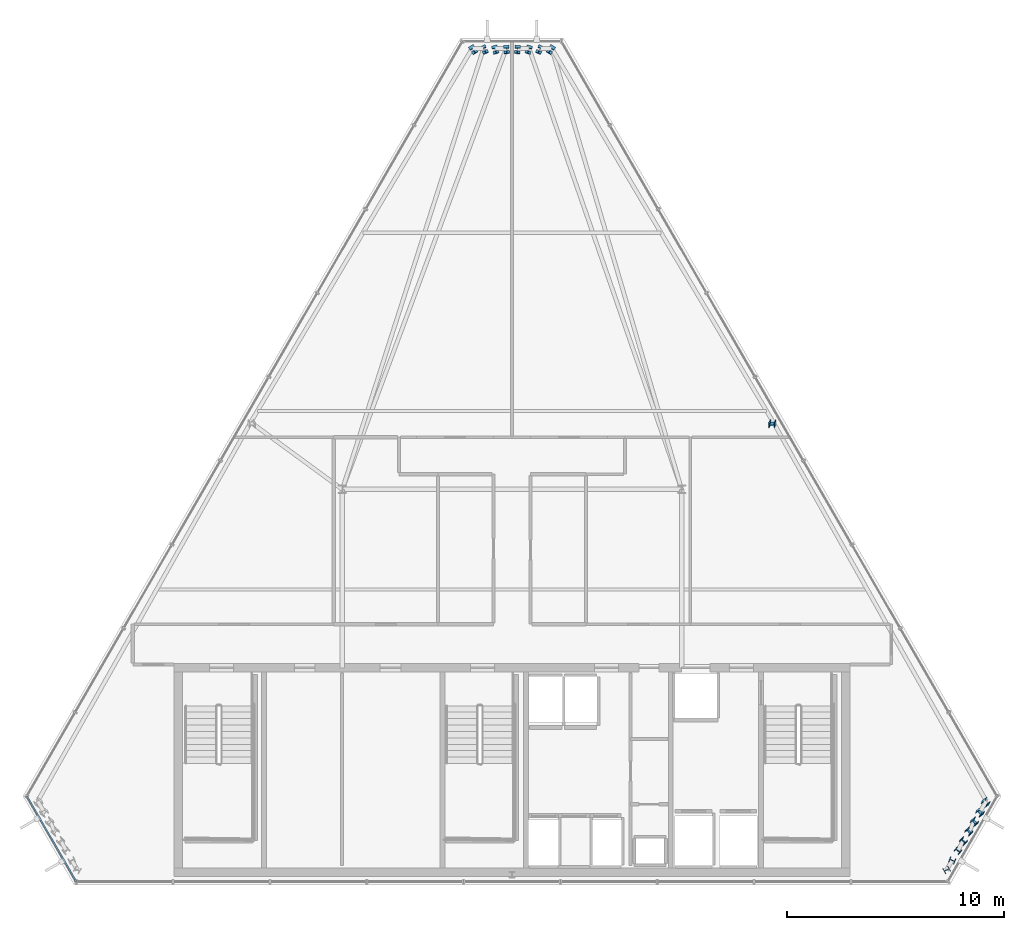
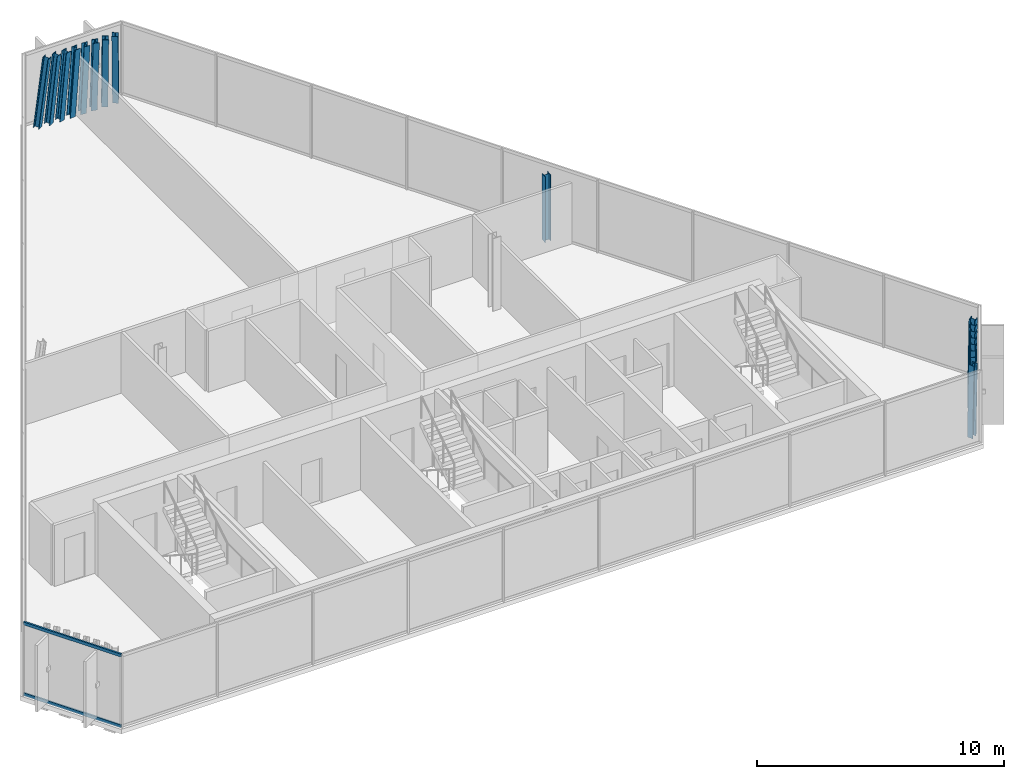
# One storey, part 2 of 32: 17 columns, 2 members, 1 element without a shape of its own.
"""IFC4 building model written with IfcOpenShell, lengths in metres."""

from ifc_helpers import new_model, si_unit, direction, frame, origin, origin_2d, place, context, subcontext, project, spatial, hollow_rectangle, i_section, extrude, material, layer, layer_set, material_profile, profile_set, type_object, element, aggregate, save


model = new_model("IFC4")

# Units and contexts
model_context = context("Model", 3, precision=1e-05, world=origin(), true_north=direction((0.0, 1.0)))
body_context = subcontext(model_context, "Body", "Model", "MODEL_VIEW")
ifc_project = project(units=[si_unit("LENGTHUNIT", "METRE"), si_unit("AREAUNIT", "SQUARE_METRE"), si_unit("VOLUMEUNIT", "CUBIC_METRE"), si_unit("PLANEANGLEUNIT", "RADIAN"), si_unit("MASSUNIT", "GRAM", prefix="KILO")], contexts=[model_context])

# Site, building, storey
site_placement = place(None, origin())
site = spatial("IfcSite", under=ifc_project, at=site_placement, CompositionType="ELEMENT")
building_placement = place(site_placement, origin())
building = spatial("IfcBuilding", under=site, at=building_placement, Name="Ndaravel Arena Tower", CompositionType="ELEMENT")
storey_placement = place(building_placement, frame((0.0, 0.0, 290.89990234375)))
storey = spatial("IfcBuildingStorey", under=building, at=storey_placement, Name="L71", CompositionType="ELEMENT", Elevation=290.89990234375)

# Columns
ifc_material_1 = material(Name="Steel S355", Category="steel")
ifc_material_profile_1 = material_profile(ifc_material_1, i_section(OverallWidth=0.2587890625, OverallDepth=0.2666015625, WebThickness=0.0126953125, FlangeThickness=0.0205078125, FilletRadius=0.0126953125, at=origin_2d()), Name="UC 254x254x107")
ifc_profile_set_1 = profile_set([ifc_material_profile_1], Name="Steel S355")
column_type = type_object("IfcColumnType", Name="COL-CRN-UC107", PredefinedType="COLUMN", material=ifc_profile_set_1)
column_1_placement = place(storey_placement, frame((61.98095703125, 5.7060546875, 0.0), z_axis=(0.012750869074, -0.008046002945, 0.999886332127), x_axis=(-0.46549137214, 0.884956095151, 0.013057263081)))
element("IfcColumn", 1, at=column_1_placement, inside=storey, type_object=column_type, Name="L71 Framed Tube Column TC-02", PredefinedType="COLUMN", context=body_context, shape_type="SweptSolid", body=[
    extrude(i_section(OverallWidth=0.2587890625, OverallDepth=0.2666015625, WebThickness=0.0126953125, FlangeThickness=0.0205078125, FilletRadius=0.0126953125, at=origin_2d()), origin(), (0.0, 0.0, 1.0), 3.58056640625),
])
column_2_placement = place(storey_placement, frame((62.24169921875, 6.157958984375, 0.0), z_axis=(0.003476876794, -0.024065441336, 0.999704339223), x_axis=(0.371064507273, 0.928368302905, 0.021057673285)))
element("IfcColumn", 2, at=column_2_placement, inside=storey, type_object=column_type, Name="L71 Framed Tube Column TC-03", PredefinedType="COLUMN", context=body_context, shape_type="SweptSolid", body=[
    extrude(i_section(OverallWidth=0.2587890625, OverallDepth=0.2666015625, WebThickness=0.0126953125, FlangeThickness=0.0205078125, FilletRadius=0.0126953125, at=origin_2d()), origin(), (0.0, 0.0, 1.0), 3.5810546875),
])
column_3_placement = place(storey_placement, frame((62.502685546875, 6.610107421875, 0.0), z_axis=(-0.005791741097, -0.040133358895, 0.999177546404), x_axis=(0.618468463563, 0.785024577009, 0.035116564052)))
element("IfcColumn", 3, at=column_3_placement, inside=storey, type_object=column_type, Name="L71 Framed Tube Column TC-04", PredefinedType="COLUMN", context=body_context, shape_type="SweptSolid", body=[
    extrude(i_section(OverallWidth=0.2587890625, OverallDepth=0.2666015625, WebThickness=0.0126953125, FlangeThickness=0.0205078125, FilletRadius=0.0126953125, at=origin_2d()), origin(), (0.0, 0.0, 1.0), 3.5830078125),
])
column_4_placement = place(storey_placement, frame((62.763671875, 7.06201171875, 0.0), z_axis=(-0.01504542395, -0.056165044156, 0.998308130305), x_axis=(0.706681200924, 0.705737927659, 0.050355314766)))
element("IfcColumn", 4, at=column_4_placement, inside=storey, type_object=column_type, Name="L71 Framed Tube Column TC-05", PredefinedType="COLUMN", context=body_context, shape_type="SweptSolid", body=[
    extrude(i_section(OverallWidth=0.2587890625, OverallDepth=0.2666015625, WebThickness=0.0126953125, FlangeThickness=0.0205078125, FilletRadius=0.0126953125, at=origin_2d()), origin(), (0.0, 0.0, 1.0), 3.586181640625),
])
column_5_placement = place(storey_placement, frame((63.024658203125, 7.513916015625, 0.0), z_axis=(-0.024274823165, -0.072076505755, 0.997103660749), x_axis=(0.749462086186, 0.658762752498, 0.065865144737)))
element("IfcColumn", 5, at=column_5_placement, inside=storey, type_object=column_type, Name="L71 Framed Tube Column TC-06", PredefinedType="COLUMN", context=body_context, shape_type="SweptSolid", body=[
    extrude(i_section(OverallWidth=0.2587890625, OverallDepth=0.2666015625, WebThickness=0.0126953125, FlangeThickness=0.0205078125, FilletRadius=0.0126953125, at=origin_2d()), origin(), (0.0, 0.0, 1.0), 3.590576171875),
])
column_6_placement = place(storey_placement, frame((63.28564453125, 7.9658203125, 0.0), z_axis=(-0.033470647913, -0.087919856081, 0.995565073029), x_axis=(0.774036446069, 0.627877329686, 0.081471706891)))
element("IfcColumn", 6, at=column_6_placement, inside=storey, type_object=column_type, Name="L71 Framed Tube Column TC-07", PredefinedType="COLUMN", context=body_context, shape_type="SweptSolid", body=[
    extrude(i_section(OverallWidth=0.2587890625, OverallDepth=0.2666015625, WebThickness=0.0126953125, FlangeThickness=0.0205078125, FilletRadius=0.0126953125, at=origin_2d()), origin(), (0.0, 0.0, 1.0), 3.595947265625),
])
column_7_placement = place(storey_placement, frame((63.54638671875, 8.41796875, 0.0), z_axis=(-0.042555860906, -0.103746851986, 0.993692904979), x_axis=(0.789181806641, 0.606433234677, 0.097112347031)))
element("IfcColumn", 7, at=column_7_placement, inside=storey, type_object=column_type, Name="L71 Framed Tube Column TC-08", PredefinedType="COLUMN", context=body_context, shape_type="SweptSolid", body=[
    extrude(i_section(OverallWidth=0.2587890625, OverallDepth=0.2666015625, WebThickness=0.0126953125, FlangeThickness=0.0205078125, FilletRadius=0.0126953125, at=origin_2d()), origin(), (0.0, 0.0, 1.0), 3.602783203125),
])
column_8_placement = place(storey_placement, frame((63.807373046875, 8.869873046875, 0.0), z_axis=(-0.051724991926, -0.119406974825, 0.991497100134), x_axis=(0.80011318397, 0.589167860222, 0.112694832712)))
element("IfcColumn", 8, at=column_8_placement, inside=storey, type_object=column_type, Name="L71 Framed Tube Column TC-09", PredefinedType="COLUMN", context=body_context, shape_type="SweptSolid", body=[
    extrude(i_section(OverallWidth=0.2587890625, OverallDepth=0.2666015625, WebThickness=0.0126953125, FlangeThickness=0.0205078125, FilletRadius=0.0126953125, at=origin_2d()), origin(), (0.0, 0.0, 1.0), 3.61083984375),
])
column_9_placement = place(storey_placement, frame((54.0126953125, 26.286865234375, 0.0), z_axis=(-0.064911794707, -0.112513777493, 0.991527664154), x_axis=(-0.003987046067, 0.993644521472, 0.112492970506)))
element("IfcColumn", 9, at=column_9_placement, inside=storey, type_object=column_type, Name="L71 Framed Tube Column TC-10", PredefinedType="COLUMN", context=body_context, shape_type="SweptSolid", body=[
    extrude(i_section(OverallWidth=0.2587890625, OverallDepth=0.2666015625, WebThickness=0.0126953125, FlangeThickness=0.0205078125, FilletRadius=0.0126953125, at=origin_2d()), origin(), (0.0, 0.0, 1.0), 3.610595703125),
])
column_10_placement = place(storey_placement, frame((43.82666015625, 43.477783203125, 0.0), z_axis=(-0.064474404195, -0.09772748451, 0.993122545296), x_axis=(0.834710448865, -0.550689083381, 0.0)))
element("IfcColumn", 10, at=column_10_placement, inside=storey, type_object=column_type, Name="L71 Framed Tube Column TC-11", PredefinedType="COLUMN", context=body_context, shape_type="SweptSolid", body=[
    extrude(i_section(OverallWidth=0.2587890625, OverallDepth=0.2666015625, WebThickness=0.0126953125, FlangeThickness=0.0205078125, FilletRadius=0.0126953125, at=origin_2d()), origin(), (0.0, 0.0, 1.0), 3.60498046875),
])
column_11_placement = place(storey_placement, frame((43.3046875, 43.477783203125, 0.0), z_axis=(-0.046032450468, -0.097827431554, 0.994138223357), x_axis=(0.904832912458, -0.425766838225, 0.0)))
element("IfcColumn", 11, at=column_11_placement, inside=storey, type_object=column_type, Name="L71 Framed Tube Column TC-12", PredefinedType="COLUMN", context=body_context, shape_type="SweptSolid", body=[
    extrude(i_section(OverallWidth=0.2587890625, OverallDepth=0.2666015625, WebThickness=0.0126953125, FlangeThickness=0.0205078125, FilletRadius=0.0126953125, at=origin_2d()), origin(), (0.0, 0.0, 1.0), 3.60107421875),
])
column_12_placement = place(storey_placement, frame((42.782958984375, 43.477783203125, 0.0), z_axis=(-0.027678890577, -0.097893723291, 0.994811890739), x_axis=(0.962275250088, -0.272077825389, 0.0)))
element("IfcColumn", 12, at=column_12_placement, inside=storey, type_object=column_type, Name="L71 Framed Tube Column TC-13", PredefinedType="COLUMN", context=body_context, shape_type="SweptSolid", body=[
    extrude(i_section(OverallWidth=0.2587890625, OverallDepth=0.2666015625, WebThickness=0.0126953125, FlangeThickness=0.0205078125, FilletRadius=0.0126953125, at=origin_2d()), origin(), (0.0, 0.0, 1.0), 3.5986328125),
])
for number, where, z_axis, x_axis, name in (
    (13, (42.260986328125, 43.477783203125, 0.0), (-0.009229440002, -0.097927072963, 0.995150795517), (0.99558801944, -0.093832273488, 0.0), "L71 Framed Tube Column TC-14"),
    (14, (41.739013671875, 43.477783203125, 0.0), (0.009229440002, -0.097927072963, 0.995150795517), (0.99558801944, 0.093832273488, 0.0), "L71 Framed Tube Column TC-15"),
):
    element("IfcColumn", number, at=place(storey_placement, frame(where, z_axis=z_axis, x_axis=x_axis)), inside=storey, type_object=column_type, Name=name, PredefinedType="COLUMN", context=body_context, shape_type="SweptSolid", body=[
        extrude(i_section(OverallWidth=0.2587890625, OverallDepth=0.2666015625, WebThickness=0.0126953125, FlangeThickness=0.0205078125, FilletRadius=0.0126953125, at=origin_2d()), origin(), (0.0, 0.0, 1.0), 3.597412109375),
    ])
column_13_placement = place(storey_placement, frame((41.217041015625, 43.477783203125, 0.0), z_axis=(0.027678890577, -0.097893723291, 0.994811890739), x_axis=(0.962275250088, 0.272077825389, 0.0)))
element("IfcColumn", 15, at=column_13_placement, inside=storey, type_object=column_type, Name="L71 Framed Tube Column TC-16", PredefinedType="COLUMN", context=body_context, shape_type="SweptSolid", body=[
    extrude(i_section(OverallWidth=0.2587890625, OverallDepth=0.2666015625, WebThickness=0.0126953125, FlangeThickness=0.0205078125, FilletRadius=0.0126953125, at=origin_2d()), origin(), (0.0, 0.0, 1.0), 3.5986328125),
])
column_14_placement = place(storey_placement, frame((40.6953125, 43.477783203125, 0.0), z_axis=(0.046032450468, -0.097827431554, 0.994138223357), x_axis=(0.904832912458, 0.425766838225, 0.0)))
element("IfcColumn", 16, at=column_14_placement, inside=storey, type_object=column_type, Name="L71 Framed Tube Column TC-17", PredefinedType="COLUMN", context=body_context, shape_type="SweptSolid", body=[
    extrude(i_section(OverallWidth=0.2587890625, OverallDepth=0.2666015625, WebThickness=0.0126953125, FlangeThickness=0.0205078125, FilletRadius=0.0126953125, at=origin_2d()), origin(), (0.0, 0.0, 1.0), 3.60107421875),
])
column_15_placement = place(storey_placement, frame((40.17333984375, 43.477783203125, 0.0), z_axis=(0.064474404195, -0.09772748451, 0.993122545296), x_axis=(0.834710448865, 0.550689083381, 0.0)))
element("IfcColumn", 17, at=column_15_placement, inside=storey, type_object=column_type, Name="L71 Framed Tube Column TC-18", PredefinedType="COLUMN", context=body_context, shape_type="SweptSolid", body=[
    extrude(i_section(OverallWidth=0.2587890625, OverallDepth=0.2666015625, WebThickness=0.0126953125, FlangeThickness=0.0205078125, FilletRadius=0.0126953125, at=origin_2d()), origin(), (0.0, 0.0, 1.0), 3.60498046875),
])

# Curtain wall, members
ifc_material_2 = material(Name="Aluminium", Category="aluminium")
ifc_layer = layer(ifc_material_2, 0.179931640625)
ifc_layer_set = layer_set([ifc_layer], Name="Aluminium")
curtain_wall_type = type_object("IfcCurtainWallType", Name="CW-SYS-02", PredefinedType="NOTDEFINED", material=ifc_layer_set)
curtain_wall_placement = place(storey_placement, origin())
curtain_wall = element("IfcCurtainWall", 18, at=curtain_wall_placement, inside=storey, type_object=curtain_wall_type, Name="L71 Faceted Crystal Curtain Wall CW-L71-E06", PredefinedType="NOTDEFINED")
ifc_material_3 = material(Name="Aluminium", Category="aluminium")
ifc_material_profile_2 = material_profile(ifc_material_3, hollow_rectangle(XDim=0.074951171875, YDim=0.14990234375, WallThickness=0.00390625, at=origin_2d()), Name="CW TRANSOM 75x150x4")
ifc_profile_set_2 = profile_set([ifc_material_profile_2], Name="Aluminium")
member_type = type_object("IfcMemberType", Name="MEM-CW-TRN150", PredefinedType="USERDEFINED", material=ifc_profile_set_2)
member_1_placement = place(storey_placement, frame((19.692626953125, 9.095947265625, 0.0400390625), z_axis=(0.49995805709, -0.866049618181, 0.0), x_axis=(0.866049618181, 0.49995805709, 0.0)))
member_1 = element("IfcMember", 19, at=member_1_placement, type_object=member_type, Name="CW-L71-E06 Transom 01", ObjectType="TRANSOM", PredefinedType="USERDEFINED", context=body_context, shape_type="SweptSolid", body=[
    extrude(hollow_rectangle(XDim=0.074951171875, YDim=0.14990234375, WallThickness=0.00390625, at=origin_2d()), origin(), (0.0, 0.0, 1.0), 4.544921875),
])
member_2_placement = place(storey_placement, frame((19.692626953125, 9.095947265625, 3.5400390625), z_axis=(0.49995805709, -0.866049618181, 0.0), x_axis=(0.866049618181, 0.49995805709, 0.0)))
member_2 = element("IfcMember", 20, at=member_2_placement, type_object=member_type, Name="CW-L71-E06 Transom 02", ObjectType="TRANSOM", PredefinedType="USERDEFINED", context=body_context, shape_type="SweptSolid", body=[
    extrude(hollow_rectangle(XDim=0.074951171875, YDim=0.14990234375, WallThickness=0.00390625, at=origin_2d()), origin(), (0.0, 0.0, 1.0), 4.544921875),
])
aggregate(curtain_wall, [member_1, member_2])

save(model, "model.ifc")
